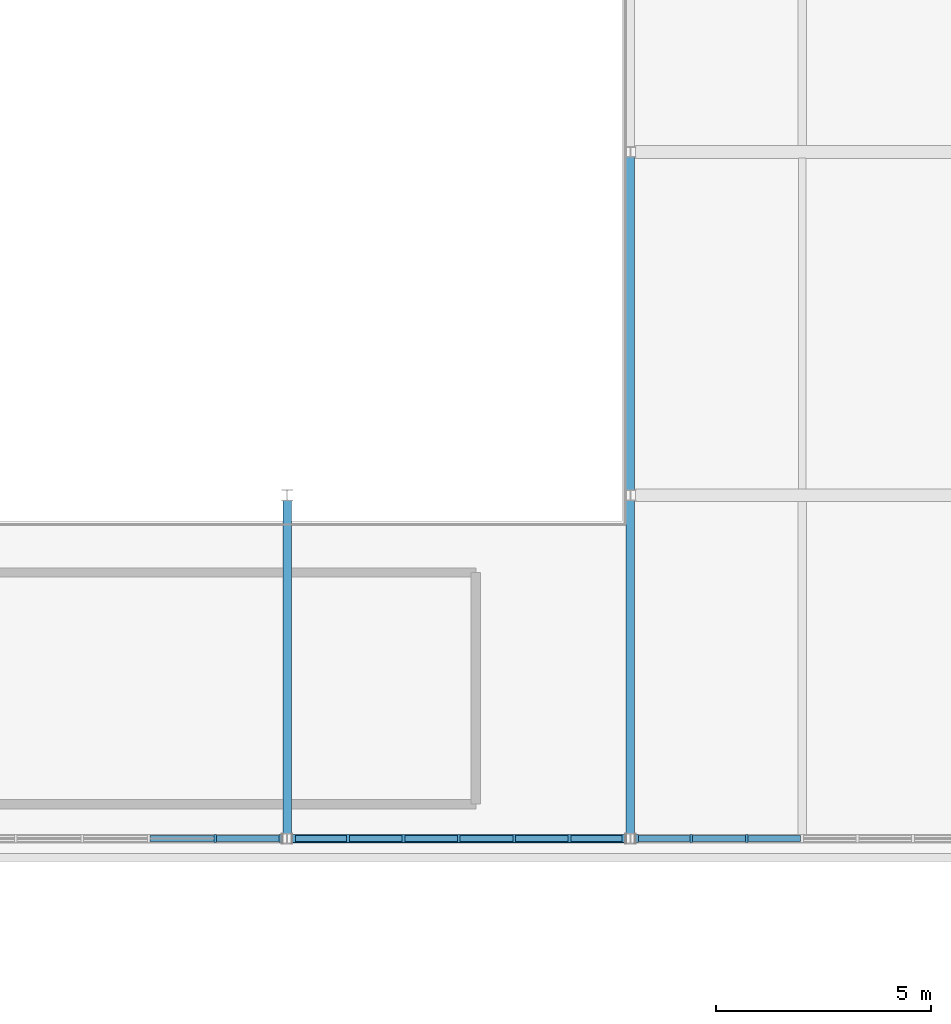
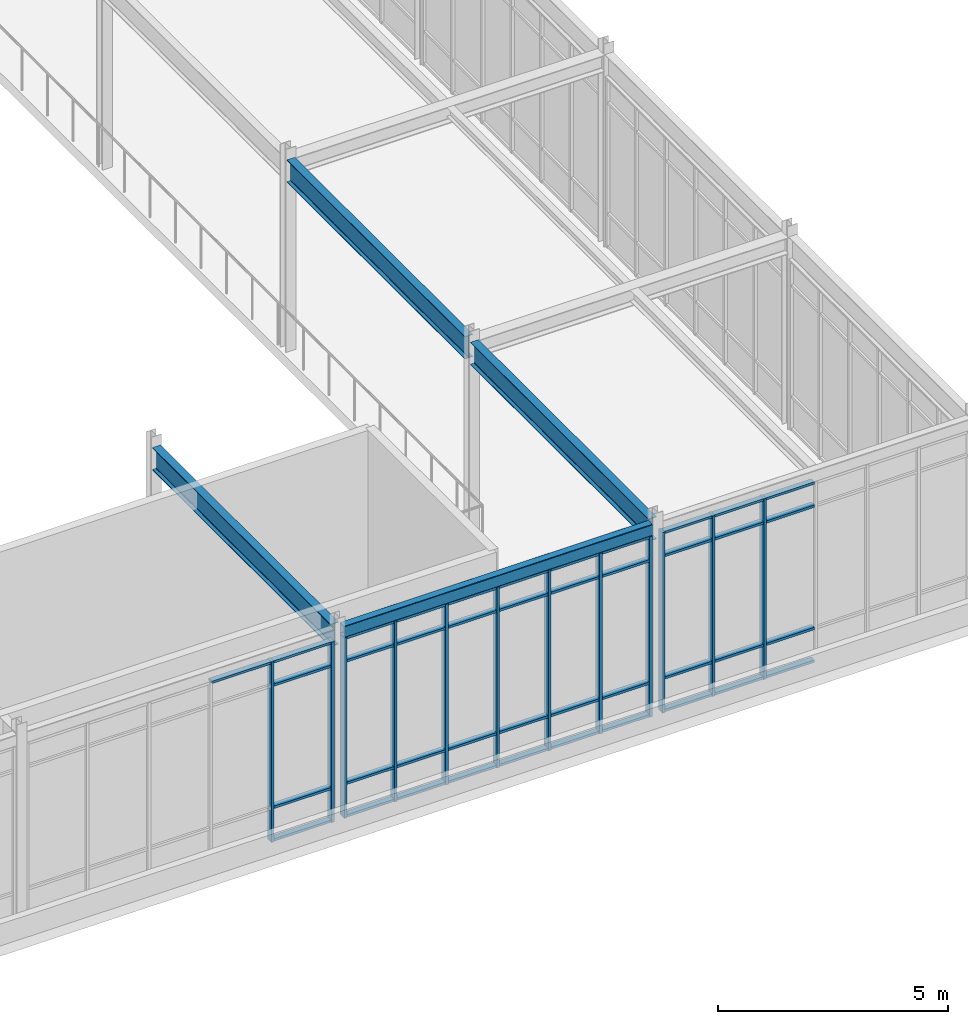
# One storey, part 73 of 184: 53 members, 4 beams, 3 elements without a shape of their own.
"""IFC4 building model written with IfcOpenShell, lengths in metres."""

from ifc_helpers import new_model, si_unit, direction, frame, origin, origin_2d, place, context, subcontext, project, spatial, rectangle, hollow_rectangle, i_section, extrude, material, material_profile, profile_set, type_object, element, aggregate, save


model = new_model("IFC4")

# Units and contexts
model_context = context("Model", 3, precision=1e-05, world=origin(), true_north=direction((0.0, 1.0)))
body_context = subcontext(model_context, "Body", "Model", "MODEL_VIEW")
ifc_project = project(units=[si_unit("LENGTHUNIT", "METRE"), si_unit("AREAUNIT", "SQUARE_METRE"), si_unit("VOLUMEUNIT", "CUBIC_METRE"), si_unit("PLANEANGLEUNIT", "RADIAN"), si_unit("MASSUNIT", "GRAM", prefix="KILO")], contexts=[model_context])

# Site, building, storey
site_placement = place(None, origin())
site = spatial("IfcSite", under=ifc_project, at=site_placement, CompositionType="ELEMENT")
building_placement = place(site_placement, origin())
building = spatial("IfcBuilding", under=site, at=building_placement, Name="Zhaolan Boulevard Law Courts", CompositionType="ELEMENT")
storey_placement = place(building_placement, frame((0.0, 0.0, 5.39990234375)))
storey = spatial("IfcBuildingStorey", under=building, at=storey_placement, Name="L01", CompositionType="ELEMENT", Elevation=5.39990234375)

# Curtain wall, members
ifc_material_1 = material(Name="Thermally broken aluminium and low-E glazing", Category="aluminium")
curtain_wall_type_1 = type_object("IfcCurtainWallType", Name="CURTAIN WALL M10", PredefinedType="USERDEFINED", material=ifc_material_1)
curtain_wall_1_placement = place(storey_placement, origin())
curtain_wall_1 = element("IfcCurtainWall", 1, at=curtain_wall_1_placement, inside=storey, type_object=curtain_wall_type_1, Name="Curtain Wall CW-L01-058", ObjectType="CURTAIN WALL", PredefinedType="USERDEFINED")
ifc_material_2 = material(Name="Fluorocarbon-coated aluminium 6063-T6", Category="aluminium")
ifc_material_profile_1 = material_profile(ifc_material_2, rectangle(XDim=0.179931640625, YDim=0.06494140625, at=origin_2d()), Name="AL65x180")
ifc_profile_set_1 = profile_set([ifc_material_profile_1], Name="Fluorocarbon-coated aluminium 6063-T6")
member_type_1 = type_object("IfcMemberType", Name="CWMULLION 65X180", PredefinedType="MULLION", material=ifc_profile_set_1)
member_1_placement = place(storey_placement, frame((146.32373046875, 6.0, 0.0), z_axis=(0.0, 0.0, 1.0), x_axis=(0.0, 1.0, 0.0)))
member_1 = element("IfcMember", 2, at=member_1_placement, type_object=member_type_1, Name="CW-L01-058 mullion 5", PredefinedType="MULLION", context=body_context, shape_type="SweptSolid", body=[
    extrude(rectangle(XDim=0.179931640625, YDim=0.06494140625, at=origin_2d()), origin(), (0.0, 0.0, 1.0), 4.802978515625),
])
member_2_placement = place(storey_placement, frame((147.840576171875, 6.0, 0.0), z_axis=(0.0, 0.0, 1.0), x_axis=(0.0, 1.0, 0.0)))
member_2 = element("IfcMember", 3, at=member_2_placement, type_object=member_type_1, Name="CW-L01-058 mullion 6", PredefinedType="MULLION", context=body_context, shape_type="SweptSolid", body=[
    extrude(rectangle(XDim=0.179931640625, YDim=0.06494140625, at=origin_2d()), origin(), (0.0, 0.0, 1.0), 4.802978515625),
])

ifc_material_3 = material(Name="Thermally broken aluminium and low-E glazing", Category="aluminium")
curtain_wall_type_2 = type_object("IfcCurtainWallType", Name="CURTAIN WALL M11", PredefinedType="USERDEFINED", material=ifc_material_3)
curtain_wall_2_placement = place(storey_placement, origin())
curtain_wall_2 = element("IfcCurtainWall", 4, at=curtain_wall_2_placement, inside=storey, type_object=curtain_wall_type_2, Name="Curtain Wall CW-L01-059", ObjectType="CURTAIN WALL", PredefinedType="USERDEFINED")
member_3_placement = place(storey_placement, frame((148.159423828125, 6.0, 0.0), z_axis=(0.0, 0.0, 1.0), x_axis=(0.0, 1.0, 0.0)))
member_3 = element("IfcMember", 5, at=member_3_placement, type_object=member_type_1, Name="CW-L01-059 mullion 1", PredefinedType="MULLION", context=body_context, shape_type="SweptSolid", body=[
    extrude(rectangle(XDim=0.179931640625, YDim=0.06494140625, at=origin_2d()), origin(), (0.0, 0.0, 1.0), 4.802978515625),
])
member_4_placement = place(storey_placement, frame((149.41796875, 6.0, 0.0), z_axis=(0.0, 0.0, 1.0), x_axis=(0.0, 1.0, 0.0)))
member_4 = element("IfcMember", 6, at=member_4_placement, type_object=member_type_1, Name="CW-L01-059 mullion 2", PredefinedType="MULLION", context=body_context, shape_type="SweptSolid", body=[
    extrude(rectangle(XDim=0.179931640625, YDim=0.06494140625, at=origin_2d()), origin(), (0.0, 0.0, 1.0), 4.802978515625),
])
member_5_placement = place(storey_placement, frame((150.708984375, 6.0, 0.0), z_axis=(0.0, 0.0, 1.0), x_axis=(0.0, 1.0, 0.0)))
member_5 = element("IfcMember", 7, at=member_5_placement, type_object=member_type_1, Name="CW-L01-059 mullion 3", PredefinedType="MULLION", context=body_context, shape_type="SweptSolid", body=[
    extrude(rectangle(XDim=0.179931640625, YDim=0.06494140625, at=origin_2d()), origin(), (0.0, 0.0, 1.0), 4.802978515625),
])
member_6_placement = place(storey_placement, frame((152.0, 6.0, 0.0), z_axis=(0.0, 0.0, 1.0), x_axis=(0.0, 1.0, 0.0)))
member_6 = element("IfcMember", 8, at=member_6_placement, type_object=member_type_1, Name="CW-L01-059 mullion 4", PredefinedType="MULLION", context=body_context, shape_type="SweptSolid", body=[
    extrude(rectangle(XDim=0.179931640625, YDim=0.06494140625, at=origin_2d()), origin(), (0.0, 0.0, 1.0), 4.802978515625),
])
member_7_placement = place(storey_placement, frame((153.291015625, 6.0, 0.0), z_axis=(0.0, 0.0, 1.0), x_axis=(0.0, 1.0, 0.0)))
member_7 = element("IfcMember", 9, at=member_7_placement, type_object=member_type_1, Name="CW-L01-059 mullion 5", PredefinedType="MULLION", context=body_context, shape_type="SweptSolid", body=[
    extrude(rectangle(XDim=0.179931640625, YDim=0.06494140625, at=origin_2d()), origin(), (0.0, 0.0, 1.0), 4.802978515625),
])
member_8_placement = place(storey_placement, frame((154.58203125, 6.0, 0.0), z_axis=(0.0, 0.0, 1.0), x_axis=(0.0, 1.0, 0.0)))
member_8 = element("IfcMember", 10, at=member_8_placement, type_object=member_type_1, Name="CW-L01-059 mullion 6", PredefinedType="MULLION", context=body_context, shape_type="SweptSolid", body=[
    extrude(rectangle(XDim=0.179931640625, YDim=0.06494140625, at=origin_2d()), origin(), (0.0, 0.0, 1.0), 4.802978515625),
])
member_9_placement = place(storey_placement, frame((155.840576171875, 6.0, 0.0), z_axis=(0.0, 0.0, 1.0), x_axis=(0.0, 1.0, 0.0)))
member_9 = element("IfcMember", 11, at=member_9_placement, type_object=member_type_1, Name="CW-L01-059 mullion 7", PredefinedType="MULLION", context=body_context, shape_type="SweptSolid", body=[
    extrude(rectangle(XDim=0.179931640625, YDim=0.06494140625, at=origin_2d()), origin(), (0.0, 0.0, 1.0), 4.802978515625),
])

ifc_material_4 = material(Name="Thermally broken aluminium and low-E glazing", Category="aluminium")
curtain_wall_type_3 = type_object("IfcCurtainWallType", Name="CURTAIN WALL M12", PredefinedType="USERDEFINED", material=ifc_material_4)
curtain_wall_3_placement = place(storey_placement, origin())
curtain_wall_3 = element("IfcCurtainWall", 12, at=curtain_wall_3_placement, inside=storey, type_object=curtain_wall_type_3, Name="Curtain Wall CW-L01-060", ObjectType="CURTAIN WALL", PredefinedType="USERDEFINED")
member_10_placement = place(storey_placement, frame((156.159423828125, 6.0, 0.0), z_axis=(0.0, 0.0, 1.0), x_axis=(0.0, 1.0, 0.0)))
member_10 = element("IfcMember", 13, at=member_10_placement, type_object=member_type_1, Name="CW-L01-060 mullion 1", PredefinedType="MULLION", context=body_context, shape_type="SweptSolid", body=[
    extrude(rectangle(XDim=0.179931640625, YDim=0.06494140625, at=origin_2d()), origin(), (0.0, 0.0, 1.0), 4.802978515625),
])
member_11_placement = place(storey_placement, frame((157.41796875, 6.0, 0.0), z_axis=(0.0, 0.0, 1.0), x_axis=(0.0, 1.0, 0.0)))
member_11 = element("IfcMember", 14, at=member_11_placement, type_object=member_type_1, Name="CW-L01-060 mullion 2", PredefinedType="MULLION", context=body_context, shape_type="SweptSolid", body=[
    extrude(rectangle(XDim=0.179931640625, YDim=0.06494140625, at=origin_2d()), origin(), (0.0, 0.0, 1.0), 4.802978515625),
])
member_12_placement = place(storey_placement, frame((158.708984375, 6.0, 0.0), z_axis=(0.0, 0.0, 1.0), x_axis=(0.0, 1.0, 0.0)))
member_12 = element("IfcMember", 15, at=member_12_placement, type_object=member_type_1, Name="CW-L01-060 mullion 3", PredefinedType="MULLION", context=body_context, shape_type="SweptSolid", body=[
    extrude(rectangle(XDim=0.179931640625, YDim=0.06494140625, at=origin_2d()), origin(), (0.0, 0.0, 1.0), 4.802978515625),
])

# Member
ifc_material_5 = material(Name="Fluorocarbon-coated aluminium 6063-T6", Category="aluminium")
ifc_material_profile_2 = material_profile(ifc_material_5, rectangle(XDim=0.139892578125, YDim=0.06494140625, at=origin_2d()), Name="AL65x140")
ifc_profile_set_2 = profile_set([ifc_material_profile_2], Name="Fluorocarbon-coated aluminium 6063-T6")
member_type_2 = type_object("IfcMemberType", Name="CWTRANSOM 65X140", PredefinedType="USERDEFINED", material=ifc_profile_set_2)
member_13_placement = place(storey_placement, frame((144.80712890625, 6.0, 4.7705078125), z_axis=(1.0, 0.0, 0.0), x_axis=(0.0, 1.0, 0.0)))
member_13 = element("IfcMember", 16, at=member_13_placement, type_object=member_type_2, Name="CW-L01-058 transom 4.4", ObjectType="TRANSOM", PredefinedType="USERDEFINED", context=body_context, shape_type="SweptSolid", body=[
    extrude(rectangle(XDim=0.139892578125, YDim=0.06494140625, at=origin_2d()), origin(), (0.0, 0.0, 1.0), 1.484130859375),
])

member_14_placement = place(storey_placement, frame((146.356201171875, 6.0, 0.03271484375), z_axis=(1.0, 0.0, 0.0), x_axis=(0.0, 1.0, 0.0)))
member_14 = element("IfcMember", 17, at=member_14_placement, type_object=member_type_2, Name="CW-L01-058 transom 5.1", ObjectType="TRANSOM", PredefinedType="USERDEFINED", context=body_context, shape_type="SweptSolid", body=[
    extrude(rectangle(XDim=0.139892578125, YDim=0.06494140625, at=origin_2d()), origin(), (0.0, 0.0, 1.0), 1.451904296875),
])

member_15_placement = place(storey_placement, frame((146.356201171875, 6.0, 0.900146484375), z_axis=(1.0, 0.0, 0.0), x_axis=(0.0, 1.0, 0.0)))
member_15 = element("IfcMember", 18, at=member_15_placement, type_object=member_type_2, Name="CW-L01-058 transom 5.2", ObjectType="TRANSOM", PredefinedType="USERDEFINED", context=body_context, shape_type="SweptSolid", body=[
    extrude(rectangle(XDim=0.139892578125, YDim=0.06494140625, at=origin_2d()), origin(), (0.0, 0.0, 1.0), 1.451904296875),
])

member_16_placement = place(storey_placement, frame((146.356201171875, 6.0, 4.153076171875), z_axis=(1.0, 0.0, 0.0), x_axis=(0.0, 1.0, 0.0)))
member_16 = element("IfcMember", 19, at=member_16_placement, type_object=member_type_2, Name="CW-L01-058 transom 5.3", ObjectType="TRANSOM", PredefinedType="USERDEFINED", context=body_context, shape_type="SweptSolid", body=[
    extrude(rectangle(XDim=0.139892578125, YDim=0.06494140625, at=origin_2d()), origin(), (0.0, 0.0, 1.0), 1.451904296875),
])

member_17_placement = place(storey_placement, frame((146.356201171875, 6.0, 4.7705078125), z_axis=(1.0, 0.0, 0.0), x_axis=(0.0, 1.0, 0.0)))
member_17 = element("IfcMember", 20, at=member_17_placement, type_object=member_type_2, Name="CW-L01-058 transom 5.4", ObjectType="TRANSOM", PredefinedType="USERDEFINED", context=body_context, shape_type="SweptSolid", body=[
    extrude(rectangle(XDim=0.139892578125, YDim=0.06494140625, at=origin_2d()), origin(), (0.0, 0.0, 1.0), 1.451904296875),
])

aggregate(curtain_wall_1, [member_1, member_2, member_13, member_14, member_15, member_16, member_17])

member_18_placement = place(storey_placement, frame((148.19189453125, 6.0, 0.03271484375), z_axis=(1.0, 0.0, 0.0), x_axis=(0.0, 1.0, 0.0)))
member_18 = element("IfcMember", 21, at=member_18_placement, type_object=member_type_2, Name="CW-L01-059 transom 1.1", ObjectType="TRANSOM", PredefinedType="USERDEFINED", context=body_context, shape_type="SweptSolid", body=[
    extrude(rectangle(XDim=0.139892578125, YDim=0.06494140625, at=origin_2d()), origin(), (0.0, 0.0, 1.0), 1.193603515625),
])

member_19_placement = place(storey_placement, frame((148.19189453125, 6.0, 0.900146484375), z_axis=(1.0, 0.0, 0.0), x_axis=(0.0, 1.0, 0.0)))
member_19 = element("IfcMember", 22, at=member_19_placement, type_object=member_type_2, Name="CW-L01-059 transom 1.2", ObjectType="TRANSOM", PredefinedType="USERDEFINED", context=body_context, shape_type="SweptSolid", body=[
    extrude(rectangle(XDim=0.139892578125, YDim=0.06494140625, at=origin_2d()), origin(), (0.0, 0.0, 1.0), 1.193603515625),
])

member_20_placement = place(storey_placement, frame((148.19189453125, 6.0, 4.153076171875), z_axis=(1.0, 0.0, 0.0), x_axis=(0.0, 1.0, 0.0)))
member_20 = element("IfcMember", 23, at=member_20_placement, type_object=member_type_2, Name="CW-L01-059 transom 1.3", ObjectType="TRANSOM", PredefinedType="USERDEFINED", context=body_context, shape_type="SweptSolid", body=[
    extrude(rectangle(XDim=0.139892578125, YDim=0.06494140625, at=origin_2d()), origin(), (0.0, 0.0, 1.0), 1.193603515625),
])

member_21_placement = place(storey_placement, frame((148.19189453125, 6.0, 4.7705078125), z_axis=(1.0, 0.0, 0.0), x_axis=(0.0, 1.0, 0.0)))
member_21 = element("IfcMember", 24, at=member_21_placement, type_object=member_type_2, Name="CW-L01-059 transom 1.4", ObjectType="TRANSOM", PredefinedType="USERDEFINED", context=body_context, shape_type="SweptSolid", body=[
    extrude(rectangle(XDim=0.139892578125, YDim=0.06494140625, at=origin_2d()), origin(), (0.0, 0.0, 1.0), 1.193603515625),
])

member_22_placement = place(storey_placement, frame((149.450439453125, 6.0, 0.03271484375), z_axis=(1.0, 0.0, 0.0), x_axis=(0.0, 1.0, 0.0)))
member_22 = element("IfcMember", 25, at=member_22_placement, type_object=member_type_2, Name="CW-L01-059 transom 2.1", ObjectType="TRANSOM", PredefinedType="USERDEFINED", context=body_context, shape_type="SweptSolid", body=[
    extrude(rectangle(XDim=0.139892578125, YDim=0.06494140625, at=origin_2d()), origin(), (0.0, 0.0, 1.0), 1.22607421875),
])

member_23_placement = place(storey_placement, frame((149.450439453125, 6.0, 0.900146484375), z_axis=(1.0, 0.0, 0.0), x_axis=(0.0, 1.0, 0.0)))
member_23 = element("IfcMember", 26, at=member_23_placement, type_object=member_type_2, Name="CW-L01-059 transom 2.2", ObjectType="TRANSOM", PredefinedType="USERDEFINED", context=body_context, shape_type="SweptSolid", body=[
    extrude(rectangle(XDim=0.139892578125, YDim=0.06494140625, at=origin_2d()), origin(), (0.0, 0.0, 1.0), 1.22607421875),
])

member_24_placement = place(storey_placement, frame((149.450439453125, 6.0, 4.153076171875), z_axis=(1.0, 0.0, 0.0), x_axis=(0.0, 1.0, 0.0)))
member_24 = element("IfcMember", 27, at=member_24_placement, type_object=member_type_2, Name="CW-L01-059 transom 2.3", ObjectType="TRANSOM", PredefinedType="USERDEFINED", context=body_context, shape_type="SweptSolid", body=[
    extrude(rectangle(XDim=0.139892578125, YDim=0.06494140625, at=origin_2d()), origin(), (0.0, 0.0, 1.0), 1.22607421875),
])

member_25_placement = place(storey_placement, frame((149.450439453125, 6.0, 4.7705078125), z_axis=(1.0, 0.0, 0.0), x_axis=(0.0, 1.0, 0.0)))
member_25 = element("IfcMember", 28, at=member_25_placement, type_object=member_type_2, Name="CW-L01-059 transom 2.4", ObjectType="TRANSOM", PredefinedType="USERDEFINED", context=body_context, shape_type="SweptSolid", body=[
    extrude(rectangle(XDim=0.139892578125, YDim=0.06494140625, at=origin_2d()), origin(), (0.0, 0.0, 1.0), 1.22607421875),
])

member_26_placement = place(storey_placement, frame((150.741455078125, 6.0, 0.03271484375), z_axis=(1.0, 0.0, 0.0), x_axis=(0.0, 1.0, 0.0)))
member_26 = element("IfcMember", 29, at=member_26_placement, type_object=member_type_2, Name="CW-L01-059 transom 3.1", ObjectType="TRANSOM", PredefinedType="USERDEFINED", context=body_context, shape_type="SweptSolid", body=[
    extrude(rectangle(XDim=0.139892578125, YDim=0.06494140625, at=origin_2d()), origin(), (0.0, 0.0, 1.0), 1.22607421875),
])

member_27_placement = place(storey_placement, frame((150.741455078125, 6.0, 0.900146484375), z_axis=(1.0, 0.0, 0.0), x_axis=(0.0, 1.0, 0.0)))
member_27 = element("IfcMember", 30, at=member_27_placement, type_object=member_type_2, Name="CW-L01-059 transom 3.2", ObjectType="TRANSOM", PredefinedType="USERDEFINED", context=body_context, shape_type="SweptSolid", body=[
    extrude(rectangle(XDim=0.139892578125, YDim=0.06494140625, at=origin_2d()), origin(), (0.0, 0.0, 1.0), 1.22607421875),
])

member_28_placement = place(storey_placement, frame((150.741455078125, 6.0, 4.153076171875), z_axis=(1.0, 0.0, 0.0), x_axis=(0.0, 1.0, 0.0)))
member_28 = element("IfcMember", 31, at=member_28_placement, type_object=member_type_2, Name="CW-L01-059 transom 3.3", ObjectType="TRANSOM", PredefinedType="USERDEFINED", context=body_context, shape_type="SweptSolid", body=[
    extrude(rectangle(XDim=0.139892578125, YDim=0.06494140625, at=origin_2d()), origin(), (0.0, 0.0, 1.0), 1.22607421875),
])

member_29_placement = place(storey_placement, frame((150.741455078125, 6.0, 4.7705078125), z_axis=(1.0, 0.0, 0.0), x_axis=(0.0, 1.0, 0.0)))
member_29 = element("IfcMember", 32, at=member_29_placement, type_object=member_type_2, Name="CW-L01-059 transom 3.4", ObjectType="TRANSOM", PredefinedType="USERDEFINED", context=body_context, shape_type="SweptSolid", body=[
    extrude(rectangle(XDim=0.139892578125, YDim=0.06494140625, at=origin_2d()), origin(), (0.0, 0.0, 1.0), 1.22607421875),
])

member_30_placement = place(storey_placement, frame((152.032470703125, 6.0, 0.03271484375), z_axis=(1.0, 0.0, 0.0), x_axis=(0.0, 1.0, 0.0)))
member_30 = element("IfcMember", 33, at=member_30_placement, type_object=member_type_2, Name="CW-L01-059 transom 4.1", ObjectType="TRANSOM", PredefinedType="USERDEFINED", context=body_context, shape_type="SweptSolid", body=[
    extrude(rectangle(XDim=0.139892578125, YDim=0.06494140625, at=origin_2d()), origin(), (0.0, 0.0, 1.0), 1.22607421875),
])

member_31_placement = place(storey_placement, frame((152.032470703125, 6.0, 0.900146484375), z_axis=(1.0, 0.0, 0.0), x_axis=(0.0, 1.0, 0.0)))
member_31 = element("IfcMember", 34, at=member_31_placement, type_object=member_type_2, Name="CW-L01-059 transom 4.2", ObjectType="TRANSOM", PredefinedType="USERDEFINED", context=body_context, shape_type="SweptSolid", body=[
    extrude(rectangle(XDim=0.139892578125, YDim=0.06494140625, at=origin_2d()), origin(), (0.0, 0.0, 1.0), 1.22607421875),
])

member_32_placement = place(storey_placement, frame((152.032470703125, 6.0, 4.153076171875), z_axis=(1.0, 0.0, 0.0), x_axis=(0.0, 1.0, 0.0)))
member_32 = element("IfcMember", 35, at=member_32_placement, type_object=member_type_2, Name="CW-L01-059 transom 4.3", ObjectType="TRANSOM", PredefinedType="USERDEFINED", context=body_context, shape_type="SweptSolid", body=[
    extrude(rectangle(XDim=0.139892578125, YDim=0.06494140625, at=origin_2d()), origin(), (0.0, 0.0, 1.0), 1.22607421875),
])

member_33_placement = place(storey_placement, frame((152.032470703125, 6.0, 4.7705078125), z_axis=(1.0, 0.0, 0.0), x_axis=(0.0, 1.0, 0.0)))
member_33 = element("IfcMember", 36, at=member_33_placement, type_object=member_type_2, Name="CW-L01-059 transom 4.4", ObjectType="TRANSOM", PredefinedType="USERDEFINED", context=body_context, shape_type="SweptSolid", body=[
    extrude(rectangle(XDim=0.139892578125, YDim=0.06494140625, at=origin_2d()), origin(), (0.0, 0.0, 1.0), 1.22607421875),
])

member_34_placement = place(storey_placement, frame((153.323486328125, 6.0, 0.03271484375), z_axis=(1.0, 0.0, 0.0), x_axis=(0.0, 1.0, 0.0)))
member_34 = element("IfcMember", 37, at=member_34_placement, type_object=member_type_2, Name="CW-L01-059 transom 5.1", ObjectType="TRANSOM", PredefinedType="USERDEFINED", context=body_context, shape_type="SweptSolid", body=[
    extrude(rectangle(XDim=0.139892578125, YDim=0.06494140625, at=origin_2d()), origin(), (0.0, 0.0, 1.0), 1.22607421875),
])

member_35_placement = place(storey_placement, frame((153.323486328125, 6.0, 0.900146484375), z_axis=(1.0, 0.0, 0.0), x_axis=(0.0, 1.0, 0.0)))
member_35 = element("IfcMember", 38, at=member_35_placement, type_object=member_type_2, Name="CW-L01-059 transom 5.2", ObjectType="TRANSOM", PredefinedType="USERDEFINED", context=body_context, shape_type="SweptSolid", body=[
    extrude(rectangle(XDim=0.139892578125, YDim=0.06494140625, at=origin_2d()), origin(), (0.0, 0.0, 1.0), 1.22607421875),
])

member_36_placement = place(storey_placement, frame((153.323486328125, 6.0, 4.153076171875), z_axis=(1.0, 0.0, 0.0), x_axis=(0.0, 1.0, 0.0)))
member_36 = element("IfcMember", 39, at=member_36_placement, type_object=member_type_2, Name="CW-L01-059 transom 5.3", ObjectType="TRANSOM", PredefinedType="USERDEFINED", context=body_context, shape_type="SweptSolid", body=[
    extrude(rectangle(XDim=0.139892578125, YDim=0.06494140625, at=origin_2d()), origin(), (0.0, 0.0, 1.0), 1.22607421875),
])

member_37_placement = place(storey_placement, frame((153.323486328125, 6.0, 4.7705078125), z_axis=(1.0, 0.0, 0.0), x_axis=(0.0, 1.0, 0.0)))
member_37 = element("IfcMember", 40, at=member_37_placement, type_object=member_type_2, Name="CW-L01-059 transom 5.4", ObjectType="TRANSOM", PredefinedType="USERDEFINED", context=body_context, shape_type="SweptSolid", body=[
    extrude(rectangle(XDim=0.139892578125, YDim=0.06494140625, at=origin_2d()), origin(), (0.0, 0.0, 1.0), 1.22607421875),
])

member_38_placement = place(storey_placement, frame((154.614501953125, 6.0, 0.03271484375), z_axis=(1.0, 0.0, 0.0), x_axis=(0.0, 1.0, 0.0)))
member_38 = element("IfcMember", 41, at=member_38_placement, type_object=member_type_2, Name="CW-L01-059 transom 6.1", ObjectType="TRANSOM", PredefinedType="USERDEFINED", context=body_context, shape_type="SweptSolid", body=[
    extrude(rectangle(XDim=0.139892578125, YDim=0.06494140625, at=origin_2d()), origin(), (0.0, 0.0, 1.0), 1.193603515625),
])

member_39_placement = place(storey_placement, frame((154.614501953125, 6.0, 0.900146484375), z_axis=(1.0, 0.0, 0.0), x_axis=(0.0, 1.0, 0.0)))
member_39 = element("IfcMember", 42, at=member_39_placement, type_object=member_type_2, Name="CW-L01-059 transom 6.2", ObjectType="TRANSOM", PredefinedType="USERDEFINED", context=body_context, shape_type="SweptSolid", body=[
    extrude(rectangle(XDim=0.139892578125, YDim=0.06494140625, at=origin_2d()), origin(), (0.0, 0.0, 1.0), 1.193603515625),
])

member_40_placement = place(storey_placement, frame((154.614501953125, 6.0, 4.153076171875), z_axis=(1.0, 0.0, 0.0), x_axis=(0.0, 1.0, 0.0)))
member_40 = element("IfcMember", 43, at=member_40_placement, type_object=member_type_2, Name="CW-L01-059 transom 6.3", ObjectType="TRANSOM", PredefinedType="USERDEFINED", context=body_context, shape_type="SweptSolid", body=[
    extrude(rectangle(XDim=0.139892578125, YDim=0.06494140625, at=origin_2d()), origin(), (0.0, 0.0, 1.0), 1.193603515625),
])

member_41_placement = place(storey_placement, frame((154.614501953125, 6.0, 4.7705078125), z_axis=(1.0, 0.0, 0.0), x_axis=(0.0, 1.0, 0.0)))
member_41 = element("IfcMember", 44, at=member_41_placement, type_object=member_type_2, Name="CW-L01-059 transom 6.4", ObjectType="TRANSOM", PredefinedType="USERDEFINED", context=body_context, shape_type="SweptSolid", body=[
    extrude(rectangle(XDim=0.139892578125, YDim=0.06494140625, at=origin_2d()), origin(), (0.0, 0.0, 1.0), 1.193603515625),
])

aggregate(curtain_wall_2, [member_3, member_4, member_5, member_6, member_7, member_8, member_9, member_18, member_19, member_20, member_21, member_22, member_23, member_24, member_25, member_26, member_27, member_28, member_29, member_30, member_31, member_32, member_33, member_34, member_35, member_36, member_37, member_38, member_39, member_40, member_41])

member_42_placement = place(storey_placement, frame((156.19189453125, 6.0, 0.03271484375), z_axis=(1.0, 0.0, 0.0), x_axis=(0.0, 1.0, 0.0)))
member_42 = element("IfcMember", 45, at=member_42_placement, type_object=member_type_2, Name="CW-L01-060 transom 1.1", ObjectType="TRANSOM", PredefinedType="USERDEFINED", context=body_context, shape_type="SweptSolid", body=[
    extrude(rectangle(XDim=0.139892578125, YDim=0.06494140625, at=origin_2d()), origin(), (0.0, 0.0, 1.0), 1.193603515625),
])

member_43_placement = place(storey_placement, frame((156.19189453125, 6.0, 0.900146484375), z_axis=(1.0, 0.0, 0.0), x_axis=(0.0, 1.0, 0.0)))
member_43 = element("IfcMember", 46, at=member_43_placement, type_object=member_type_2, Name="CW-L01-060 transom 1.2", ObjectType="TRANSOM", PredefinedType="USERDEFINED", context=body_context, shape_type="SweptSolid", body=[
    extrude(rectangle(XDim=0.139892578125, YDim=0.06494140625, at=origin_2d()), origin(), (0.0, 0.0, 1.0), 1.193603515625),
])

member_44_placement = place(storey_placement, frame((156.19189453125, 6.0, 4.153076171875), z_axis=(1.0, 0.0, 0.0), x_axis=(0.0, 1.0, 0.0)))
member_44 = element("IfcMember", 47, at=member_44_placement, type_object=member_type_2, Name="CW-L01-060 transom 1.3", ObjectType="TRANSOM", PredefinedType="USERDEFINED", context=body_context, shape_type="SweptSolid", body=[
    extrude(rectangle(XDim=0.139892578125, YDim=0.06494140625, at=origin_2d()), origin(), (0.0, 0.0, 1.0), 1.193603515625),
])

member_45_placement = place(storey_placement, frame((156.19189453125, 6.0, 4.7705078125), z_axis=(1.0, 0.0, 0.0), x_axis=(0.0, 1.0, 0.0)))
member_45 = element("IfcMember", 48, at=member_45_placement, type_object=member_type_2, Name="CW-L01-060 transom 1.4", ObjectType="TRANSOM", PredefinedType="USERDEFINED", context=body_context, shape_type="SweptSolid", body=[
    extrude(rectangle(XDim=0.139892578125, YDim=0.06494140625, at=origin_2d()), origin(), (0.0, 0.0, 1.0), 1.193603515625),
])

member_46_placement = place(storey_placement, frame((157.450439453125, 6.0, 0.03271484375), z_axis=(1.0, 0.0, 0.0), x_axis=(0.0, 1.0, 0.0)))
member_46 = element("IfcMember", 49, at=member_46_placement, type_object=member_type_2, Name="CW-L01-060 transom 2.1", ObjectType="TRANSOM", PredefinedType="USERDEFINED", context=body_context, shape_type="SweptSolid", body=[
    extrude(rectangle(XDim=0.139892578125, YDim=0.06494140625, at=origin_2d()), origin(), (0.0, 0.0, 1.0), 1.22607421875),
])

member_47_placement = place(storey_placement, frame((157.450439453125, 6.0, 0.900146484375), z_axis=(1.0, 0.0, 0.0), x_axis=(0.0, 1.0, 0.0)))
member_47 = element("IfcMember", 50, at=member_47_placement, type_object=member_type_2, Name="CW-L01-060 transom 2.2", ObjectType="TRANSOM", PredefinedType="USERDEFINED", context=body_context, shape_type="SweptSolid", body=[
    extrude(rectangle(XDim=0.139892578125, YDim=0.06494140625, at=origin_2d()), origin(), (0.0, 0.0, 1.0), 1.22607421875),
])

member_48_placement = place(storey_placement, frame((157.450439453125, 6.0, 4.153076171875), z_axis=(1.0, 0.0, 0.0), x_axis=(0.0, 1.0, 0.0)))
member_48 = element("IfcMember", 51, at=member_48_placement, type_object=member_type_2, Name="CW-L01-060 transom 2.3", ObjectType="TRANSOM", PredefinedType="USERDEFINED", context=body_context, shape_type="SweptSolid", body=[
    extrude(rectangle(XDim=0.139892578125, YDim=0.06494140625, at=origin_2d()), origin(), (0.0, 0.0, 1.0), 1.22607421875),
])

member_49_placement = place(storey_placement, frame((157.450439453125, 6.0, 4.7705078125), z_axis=(1.0, 0.0, 0.0), x_axis=(0.0, 1.0, 0.0)))
member_49 = element("IfcMember", 52, at=member_49_placement, type_object=member_type_2, Name="CW-L01-060 transom 2.4", ObjectType="TRANSOM", PredefinedType="USERDEFINED", context=body_context, shape_type="SweptSolid", body=[
    extrude(rectangle(XDim=0.139892578125, YDim=0.06494140625, at=origin_2d()), origin(), (0.0, 0.0, 1.0), 1.22607421875),
])

member_50_placement = place(storey_placement, frame((158.741455078125, 6.0, 0.03271484375), z_axis=(1.0, 0.0, 0.0), x_axis=(0.0, 1.0, 0.0)))
member_50 = element("IfcMember", 53, at=member_50_placement, type_object=member_type_2, Name="CW-L01-060 transom 3.1", ObjectType="TRANSOM", PredefinedType="USERDEFINED", context=body_context, shape_type="SweptSolid", body=[
    extrude(rectangle(XDim=0.139892578125, YDim=0.06494140625, at=origin_2d()), origin(), (0.0, 0.0, 1.0), 1.22607421875),
])

member_51_placement = place(storey_placement, frame((158.741455078125, 6.0, 0.900146484375), z_axis=(1.0, 0.0, 0.0), x_axis=(0.0, 1.0, 0.0)))
member_51 = element("IfcMember", 54, at=member_51_placement, type_object=member_type_2, Name="CW-L01-060 transom 3.2", ObjectType="TRANSOM", PredefinedType="USERDEFINED", context=body_context, shape_type="SweptSolid", body=[
    extrude(rectangle(XDim=0.139892578125, YDim=0.06494140625, at=origin_2d()), origin(), (0.0, 0.0, 1.0), 1.22607421875),
])

member_52_placement = place(storey_placement, frame((158.741455078125, 6.0, 4.153076171875), z_axis=(1.0, 0.0, 0.0), x_axis=(0.0, 1.0, 0.0)))
member_52 = element("IfcMember", 55, at=member_52_placement, type_object=member_type_2, Name="CW-L01-060 transom 3.3", ObjectType="TRANSOM", PredefinedType="USERDEFINED", context=body_context, shape_type="SweptSolid", body=[
    extrude(rectangle(XDim=0.139892578125, YDim=0.06494140625, at=origin_2d()), origin(), (0.0, 0.0, 1.0), 1.22607421875),
])

member_53_placement = place(storey_placement, frame((158.741455078125, 6.0, 4.7705078125), z_axis=(1.0, 0.0, 0.0), x_axis=(0.0, 1.0, 0.0)))
member_53 = element("IfcMember", 56, at=member_53_placement, type_object=member_type_2, Name="CW-L01-060 transom 3.4", ObjectType="TRANSOM", PredefinedType="USERDEFINED", context=body_context, shape_type="SweptSolid", body=[
    extrude(rectangle(XDim=0.139892578125, YDim=0.06494140625, at=origin_2d()), origin(), (0.0, 0.0, 1.0), 1.22607421875),
])

aggregate(curtain_wall_3, [member_10, member_11, member_12, member_42, member_43, member_44, member_45, member_46, member_47, member_48, member_49, member_50, member_51, member_52, member_53])

# Beams
ifc_material_6 = material(Name="Structural steel Q355B", Category="steel")
ifc_material_profile_3 = material_profile(ifc_material_6, i_section(OverallWidth=0.199951171875, OverallDepth=0.60009765625, WebThickness=0.010986328125, FlangeThickness=0.01708984375, FilletRadius=0.02001953125, at=origin_2d()), Name="HN600x200")
ifc_profile_set_3 = profile_set([ifc_material_profile_3], Name="Structural steel Q355B")
beam_type_1 = type_object("IfcBeamType", Name="GIRDER HN600", PredefinedType="BEAM", material=ifc_profile_set_3)
for number, where, z_axis, x_axis, name in (
    (57, (148.0, 6.12109375, 4.818115234375), (0.0, 1.0, 0.0), (-1.0, 0.0, 0.0), "Beam BY-L02-19-B-C"),
    (58, (156.0, 6.12109375, 4.818115234375), (0.0, 1.0, 0.0), (-1.0, 0.0, 0.0), "Beam BY-L02-20-B-C"),
    (59, (156.0, 14.12109375, 4.818115234375), (0.0, 1.0, 0.0), (-1.0, 0.0, 0.0), "Beam BY-L02-20-C-D"),
):
    element("IfcBeam", number, at=place(storey_placement, frame(where, z_axis=z_axis, x_axis=x_axis)), inside=storey, type_object=beam_type_1, Name=name, PredefinedType="BEAM", context=body_context, shape_type="SweptSolid", body=[
        extrude(i_section(OverallWidth=0.199951171875, OverallDepth=0.60009765625, WebThickness=0.010986328125, FlangeThickness=0.01708984375, FilletRadius=0.02001953125, at=origin_2d()), origin(), (0.0, 0.0, 1.0), 7.7578125),
    ])
ifc_material_7 = material(Name="Structural steel Q355B", Category="steel")
ifc_material_profile_4 = material_profile(ifc_material_7, hollow_rectangle(XDim=0.199951171875, YDim=0.300048828125, WallThickness=0.011962890625, InnerFilletRadius=0.011962890625, OuterFilletRadius=0.02392578125, at=origin_2d()), Name="HSS300x200x12")
ifc_profile_set_4 = profile_set([ifc_material_profile_4], Name="Structural steel Q355B")
beam_type_2 = type_object("IfcBeamType", Name="SPANDREL HSS300", PredefinedType="SPANDREL", material=ifc_profile_set_4)
beam_placement = place(storey_placement, frame((148.12109375, 6.0, 4.968017578125), z_axis=(1.0, 0.0, 0.0), x_axis=(0.0, 1.0, 0.0)))
element("IfcBeam", 60, at=beam_placement, inside=storey, type_object=beam_type_2, Name="Beam BX-L02-19-20-B", PredefinedType="SPANDREL", context=body_context, shape_type="SweptSolid", body=[
    extrude(hollow_rectangle(XDim=0.199951171875, YDim=0.300048828125, WallThickness=0.011962890625, InnerFilletRadius=0.011962890625, OuterFilletRadius=0.02392578125, at=origin_2d()), origin(), (0.0, 0.0, 1.0), 7.7578125),
])

save(model, "model.ifc")
